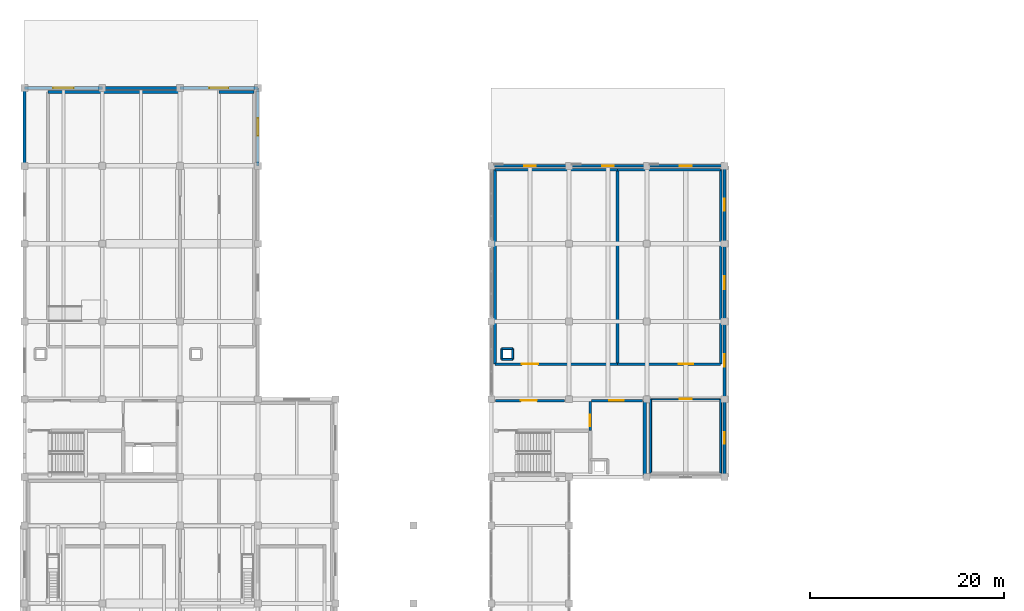
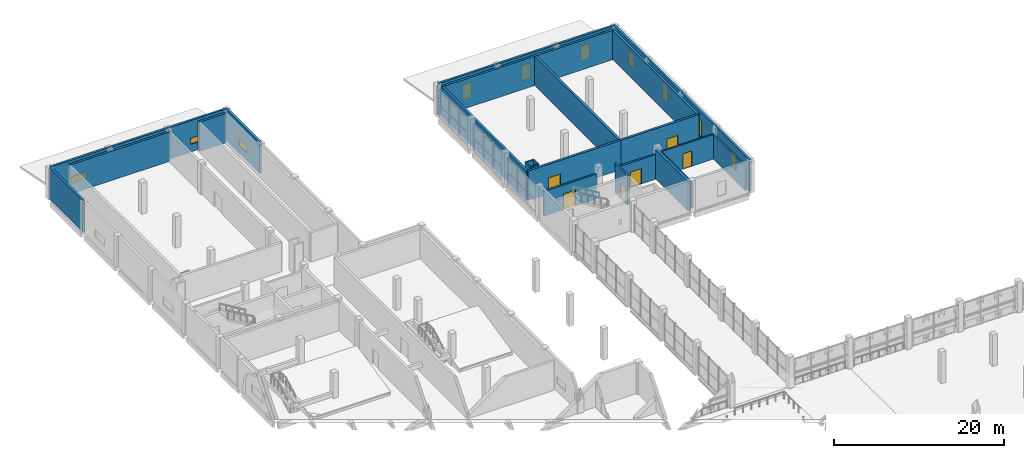
# One storey, part 31 of 45: 32 walls, 10 windows, 6 doors, 16 openings.
"""IFC4 building model written with IfcOpenShell, lengths in metres."""

from ifc_helpers import new_model, si_unit, direction, frame, frame_2d, origin, place, context, subcontext, project, spatial, rectangle, extrude, material, layer, layer_set, type_object, element, fill, save


model = new_model("IFC4")

# Units and contexts
model_context = context("Model", 3, precision=1e-05, world=origin(), true_north=direction((0.0, 1.0)))
body_context = subcontext(model_context, "Body", "Model", "MODEL_VIEW")
ifc_project = project(units=[si_unit("LENGTHUNIT", "METRE"), si_unit("AREAUNIT", "SQUARE_METRE"), si_unit("VOLUMEUNIT", "CUBIC_METRE"), si_unit("PLANEANGLEUNIT", "RADIAN"), si_unit("MASSUNIT", "GRAM", prefix="KILO")], contexts=[model_context])

# Site, building, storey
site_placement = place(None, origin())
site = spatial("IfcSite", under=ifc_project, at=site_placement, CompositionType="ELEMENT")
building_placement = place(site_placement, origin())
building = spatial("IfcBuilding", under=site, at=building_placement, Name="Qorikala Patio Media Centre", CompositionType="ELEMENT")
storey_placement = place(building_placement, frame((0.0, 0.0, 9.89990234375)))
storey = spatial("IfcBuildingStorey", under=building, at=storey_placement, Name="L02", CompositionType="ELEMENT", Elevation=9.89990234375)

# Walls
ifc_material_1 = material(Name="Concrete C35/45", Category="concrete")
ifc_layer_1 = layer(ifc_material_1, 0.300048828125)
ifc_layer_set_1 = layer_set([ifc_layer_1], Name="Concrete C35/45")
wall_type_1 = type_object("IfcWallType", Name="WL-AC-300", PredefinedType="SHEAR", material=ifc_layer_set_1)
wall_1_placement = place(storey_placement, frame((5.39990234375, 103.60009765625, 0.0), z_axis=(0.0, 0.0, 1.0), x_axis=(1.0, 0.0, 0.0)))
element("IfcWall", 1, at=wall_1_placement, inside=storey, type_object=wall_type_1, Name="L02 Interior Wall WINT-L02-BST2-N", PredefinedType="SHEAR", context=body_context, shape_type="SweptSolid", body=[
    extrude(rectangle(XDim=13.60009765625, YDim=0.300048828125, at=frame_2d((6.800048828125, 0.0))), origin(), (0.0, 0.0, 1.0), 4.2001953125),
])
wall_2_placement = place(storey_placement, frame((23.0, 103.60009765625, 0.0), z_axis=(0.0, 0.0, 1.0), x_axis=(1.0, 0.0, 0.0)))
element("IfcWall", 2, at=wall_2_placement, inside=storey, type_object=wall_type_1, Name="L02 Interior Wall WINT-L02-MCR2-N", PredefinedType="SHEAR", context=body_context, shape_type="SweptSolid", body=[
    extrude(rectangle(XDim=3.60009765625, YDim=0.300048828125, at=frame_2d((1.800048828125, 0.0))), origin(), (0.0, 0.0, 1.0), 4.2001953125),
])

# Wall, opening, door
wall_3_placement = place(storey_placement, frame((51.39990234375, 75.60009765625, 0.0), z_axis=(0.0, 0.0, 1.0), x_axis=(1.0, 0.0, 0.0)))
wall_3 = element("IfcWall", 3, at=wall_3_placement, inside=storey, type_object=wall_type_1, Name="L02 Interior Wall WINT-L02-FOL1-S", PredefinedType="SHEAR", context=body_context, shape_type="SweptSolid", body=[
    extrude(rectangle(XDim=12.60009765625, YDim=0.300048828125, at=frame_2d((6.300048828125, 0.0))), origin(), (0.0, 0.0, 1.0), 4.2001953125),
])
opening_1_placement = place(wall_3_placement, frame((2.760986328125, 0.0, 0.0)))
opening_1 = element("IfcOpeningElement", 4, at=opening_1_placement, cuts=wall_3, Name="Opening D281", PredefinedType="OPENING", context=body_context, shape_type="SweptSolid", body=[
    extrude(rectangle(XDim=1.64990234375, YDim=2.25, at=frame_2d((0.824951171875, 1.125))), frame((0.0, 0.159912109375, 0.0), z_axis=(0.0, -1.0, 0.0), x_axis=(1.0, 0.0, 0.0)), (0.0, 0.0, 1.0), 0.320068359375),
])
ifc_material_2 = material(Name="Powder-Coated Acoustic Fire Steel", Category="steel")
door_type_1 = type_object("IfcDoorType", Name="DR-FD60-165X225", OperationType="DOUBLE_DOOR_SINGLE_SWING", PredefinedType="DOOR", material=ifc_material_2)
door_1_placement = place(opening_1_placement, origin())
door_1 = element("IfcDoor", 5, at=door_1_placement, inside=storey, type_object=door_type_1, Name="Foley Stage 1 Door 070", OperationType="DOUBLE_DOOR_SINGLE_SWING", OverallHeight=2.25, OverallWidth=1.64990234375, PredefinedType="DOOR", context=body_context, shape_type="SweptSolid", body=[
    extrude(rectangle(XDim=1.64990234375, YDim=2.25, at=frame_2d((0.824951171875, 1.125))), frame((0.0, 0.02490234375, 0.0), z_axis=(0.0, -1.0, 0.0), x_axis=(1.0, 0.0, 0.0)), (0.0, 0.0, 1.0), 0.050048828125),
])
fill(opening_1, door_1)

# Walls
wall_4_placement = place(storey_placement, frame((64.0, 75.60009765625, 0.0), z_axis=(0.0, 0.0, 1.0), x_axis=(0.0, 1.0, 0.0)))
element("IfcWall", 6, at=wall_4_placement, inside=storey, type_object=wall_type_1, Name="L02 Interior Wall WINT-L02-FOL1-E", PredefinedType="SHEAR", context=body_context, shape_type="SweptSolid", body=[
    extrude(rectangle(XDim=20.0, YDim=0.300048828125, at=frame_2d((10.0, 0.0))), origin(), (0.0, 0.0, 1.0), 4.2001953125),
])
wall_5_placement = place(storey_placement, frame((51.39990234375, 95.60009765625, 0.0), z_axis=(0.0, 0.0, 1.0), x_axis=(1.0, 0.0, 0.0)))
element("IfcWall", 7, at=wall_5_placement, inside=storey, type_object=wall_type_1, Name="L02 Interior Wall WINT-L02-FOL1-N", PredefinedType="SHEAR", context=body_context, shape_type="SweptSolid", body=[
    extrude(rectangle(XDim=12.60009765625, YDim=0.300048828125, at=frame_2d((6.300048828125, 0.0))), origin(), (0.0, 0.0, 1.0), 4.2001953125),
])
wall_6_placement = place(storey_placement, frame((51.39990234375, 75.60009765625, 0.0), z_axis=(0.0, 0.0, 1.0), x_axis=(0.0, 1.0, 0.0)))
element("IfcWall", 8, at=wall_6_placement, inside=storey, type_object=wall_type_1, Name="L02 Interior Wall WINT-L02-FOL1-W", PredefinedType="SHEAR", context=body_context, shape_type="SweptSolid", body=[
    extrude(rectangle(XDim=20.0, YDim=0.300048828125, at=frame_2d((10.0, 0.0))), origin(), (0.0, 0.0, 1.0), 4.2001953125),
])

# Wall, opening, door
wall_7_placement = place(storey_placement, frame((64.0, 75.60009765625, 0.0), z_axis=(0.0, 0.0, 1.0), x_axis=(1.0, 0.0, 0.0)))
wall_7 = element("IfcWall", 9, at=wall_7_placement, inside=storey, type_object=wall_type_1, Name="L02 Interior Wall WINT-L02-MIX1-S", PredefinedType="SHEAR", context=body_context, shape_type="SweptSolid", body=[
    extrude(rectangle(XDim=10.60009765625, YDim=0.300048828125, at=frame_2d((5.300048828125, 0.0))), origin(), (0.0, 0.0, 1.0), 4.2001953125),
])
opening_2_placement = place(wall_7_placement, frame((6.282958984375, 0.0, 0.0)))
opening_2 = element("IfcOpeningElement", 10, at=opening_2_placement, cuts=wall_7, Name="Opening D282", PredefinedType="OPENING", context=body_context, shape_type="SweptSolid", body=[
    extrude(rectangle(XDim=1.5, YDim=2.199951171875, at=frame_2d((0.75, 1.10009765625))), frame((0.0, 0.159912109375, 0.0), z_axis=(0.0, -1.0, 0.0), x_axis=(1.0, 0.0, 0.0)), (0.0, 0.0, 1.0), 0.320068359375),
])
door_type_2 = type_object("IfcDoorType", Name="DR-FD60-150X220", OperationType="DOUBLE_DOOR_SINGLE_SWING", PredefinedType="DOOR", material=ifc_material_2)
door_2_placement = place(opening_2_placement, origin())
door_2 = element("IfcDoor", 11, at=door_2_placement, inside=storey, type_object=door_type_2, Name="Soundtrack Mixing Studio 1 Door 071", OperationType="DOUBLE_DOOR_SINGLE_SWING", OverallHeight=2.199951171875, OverallWidth=1.5, PredefinedType="DOOR", context=body_context, shape_type="SweptSolid", body=[
    extrude(rectangle(XDim=1.5, YDim=2.199951171875, at=frame_2d((0.75, 1.10009765625))), frame((0.0, 0.02490234375, 0.0), z_axis=(0.0, -1.0, 0.0), x_axis=(1.0, 0.0, 0.0)), (0.0, 0.0, 1.0), 0.050048828125),
])
fill(opening_2, door_2)

# Walls
wall_8_placement = place(storey_placement, frame((74.60009765625, 75.60009765625, 0.0), z_axis=(0.0, 0.0, 1.0), x_axis=(0.0, 1.0, 0.0)))
element("IfcWall", 12, at=wall_8_placement, inside=storey, type_object=wall_type_1, Name="L02 Interior Wall WINT-L02-MIX1-E", PredefinedType="SHEAR", context=body_context, shape_type="SweptSolid", body=[
    extrude(rectangle(XDim=20.0, YDim=0.300048828125, at=frame_2d((10.0, 0.0))), origin(), (0.0, 0.0, 1.0), 4.2001953125),
])
wall_9_placement = place(storey_placement, frame((64.0, 95.60009765625, 0.0), z_axis=(0.0, 0.0, 1.0), x_axis=(1.0, 0.0, 0.0)))
element("IfcWall", 13, at=wall_9_placement, inside=storey, type_object=wall_type_1, Name="L02 Interior Wall WINT-L02-MIX1-N", PredefinedType="SHEAR", context=body_context, shape_type="SweptSolid", body=[
    extrude(rectangle(XDim=10.60009765625, YDim=0.300048828125, at=frame_2d((5.300048828125, 0.0))), origin(), (0.0, 0.0, 1.0), 4.2001953125),
])
ifc_layer_2 = layer(ifc_material_1, 0.35009765625)
ifc_layer_set_2 = layer_set([ifc_layer_2], Name="Concrete C35/45")
wall_type_2 = type_object("IfcWallType", Name="WL-CORE-350", PredefinedType="SHEAR", material=ifc_layer_set_2)
wall_10_placement = place(storey_placement, frame((66.77490234375, 64.199951171875, 0.0), z_axis=(0.0, 0.0, 1.0), x_axis=(0.0, 1.0, 0.0)))
element("IfcWall", 14, at=wall_10_placement, inside=storey, type_object=wall_type_2, Name="L02 Interior Wall CW-L02-C6-EE", PredefinedType="SHEAR", context=body_context, shape_type="SweptSolid", body=[
    extrude(rectangle(XDim=7.60009765625, YDim=0.35009765625, at=frame_2d((3.800048828125, 0.0))), origin(), (0.0, 0.0, 1.0), 4.2001953125),
])

# Wall, opening, door
ifc_layer_3 = layer(ifc_material_1, 0.25)
ifc_layer_set_3 = layer_set([ifc_layer_3], Name="Concrete C35/45")
wall_type_3 = type_object("IfcWallType", Name="WL-FFL-250", PredefinedType="PARTITIONING", material=ifc_layer_set_3)
wall_11_placement = place(storey_placement, frame((61.175048828125, 68.77490234375, 0.0), z_axis=(0.0, 0.0, 1.0), x_axis=(0.0, 1.0, 0.0)))
wall_11 = element("IfcWall", 15, at=wall_11_placement, inside=storey, type_object=wall_type_3, Name="L02 Interior Wall CW-L02-C6-LBD", PredefinedType="PARTITIONING", context=body_context, shape_type="SweptSolid", body=[
    extrude(rectangle(XDim=2.97509765625, YDim=0.25, at=frame_2d((1.487548828125, 0.0))), origin(), (0.0, 0.0, 1.0), 4.2001953125),
])
opening_3_placement = place(wall_11_placement, frame((0.449951171875, 0.0, 0.0)))
opening_3 = element("IfcOpeningElement", 16, at=opening_3_placement, cuts=wall_11, Name="Opening D189", PredefinedType="OPENING", context=body_context, shape_type="SweptSolid", body=[
    extrude(rectangle(XDim=1.199951171875, YDim=2.199951171875, at=frame_2d((0.60009765625, 1.10009765625))), frame((0.0, 0.135009765625, 0.0), z_axis=(0.0, -1.0, 0.0), x_axis=(1.0, 0.0, 0.0)), (0.0, 0.0, 1.0), 0.27001953125),
])
ifc_material_3 = material(Name="Acoustic Fire Timber and Steel", Category="steel")
door_type_3 = type_object("IfcDoorType", Name="DR-FD60-120X220", OperationType="NOTDEFINED", PredefinedType="DOOR", material=ifc_material_3)
door_3_placement = place(opening_3_placement, origin())
door_3 = element("IfcDoor", 17, at=door_3_placement, inside=storey, type_object=door_type_3, Name="L02 Core C6 Firefighting Lobby Cross Door", OperationType="SINGLE_SWING_RIGHT", OverallHeight=2.199951171875, OverallWidth=1.199951171875, PredefinedType="DOOR", context=body_context, shape_type="SweptSolid", body=[
    extrude(rectangle(XDim=1.199951171875, YDim=2.199951171875, at=frame_2d((0.60009765625, 1.10009765625))), frame((0.0, 0.02490234375, 0.0), z_axis=(0.0, -1.0, 0.0), x_axis=(1.0, 0.0, 0.0)), (0.0, 0.0, 1.0), 0.050048828125),
])
fill(opening_3, door_3)

wall_12_placement = place(storey_placement, frame((51.449951171875, 71.85009765625, 0.0), z_axis=(0.0, 0.0, 1.0), x_axis=(1.0, 0.0, 0.0)))
wall_12 = element("IfcWall", 18, at=wall_12_placement, inside=storey, type_object=wall_type_3, Name="L02 Interior Wall CW-L02-C6-CN1", PredefinedType="PARTITIONING", context=body_context, shape_type="SweptSolid", body=[
    extrude(rectangle(XDim=7.10009765625, YDim=0.25, at=frame_2d((3.550048828125, 0.0))), origin(), (0.0, 0.0, 1.0), 3.53515625),
])
opening_4_placement = place(wall_12_placement, frame((2.60009765625, 0.0, 0.0)))
opening_4 = element("IfcOpeningElement", 19, at=opening_4_placement, cuts=wall_12, Name="Opening D190", PredefinedType="OPENING", context=body_context, shape_type="SweptSolid", body=[
    extrude(rectangle(XDim=1.64990234375, YDim=2.25, at=frame_2d((0.824951171875, 1.125))), frame((0.0, 0.135009765625, 0.0), z_axis=(0.0, -1.0, 0.0), x_axis=(1.0, 0.0, 0.0)), (0.0, 0.0, 1.0), 0.27001953125),
])
door_4_placement = place(opening_4_placement, frame((1.64990234375, 0.0, 0.0), z_axis=(0.0, 0.0, 1.0), x_axis=(-1.0, 0.0, 0.0)))
door_4 = element("IfcDoor", 20, at=door_4_placement, inside=storey, type_object=door_type_1, Name="L02 Core C6 Vestibule Door", OperationType="DOUBLE_DOOR_SINGLE_SWING", OverallHeight=2.25, OverallWidth=1.64990234375, PredefinedType="DOOR", context=body_context, shape_type="SweptSolid", body=[
    extrude(rectangle(XDim=1.64990234375, YDim=2.25, at=frame_2d((0.824951171875, 1.125))), frame((0.0, 0.02490234375, 0.0), z_axis=(0.0, -1.0, 0.0), x_axis=(1.0, 0.0, 0.0)), (0.0, 0.0, 1.0), 0.050048828125),
])
fill(opening_4, door_4)

wall_13_placement = place(storey_placement, frame((61.300048828125, 71.85009765625, 0.0), z_axis=(0.0, 0.0, 1.0), x_axis=(1.0, 0.0, 0.0)))
wall_13 = element("IfcWall", 21, at=wall_13_placement, inside=storey, type_object=wall_type_3, Name="L02 Interior Wall CW-L02-C6-CN2", PredefinedType="PARTITIONING", context=body_context, shape_type="SweptSolid", body=[
    extrude(rectangle(XDim=5.25, YDim=0.25, at=frame_2d((2.625, 0.0))), origin(), (0.0, 0.0, 1.0), 3.53515625),
])
opening_5_placement = place(wall_13_placement, frame((1.85009765625, 0.0, 0.0)))
opening_5 = element("IfcOpeningElement", 22, at=opening_5_placement, cuts=wall_13, Name="Opening D191", PredefinedType="OPENING", context=body_context, shape_type="SweptSolid", body=[
    extrude(rectangle(XDim=1.5, YDim=2.199951171875, at=frame_2d((0.75, 1.10009765625))), frame((0.0, 0.135009765625, 0.0), z_axis=(0.0, -1.0, 0.0), x_axis=(1.0, 0.0, 0.0)), (0.0, 0.0, 1.0), 0.27001953125),
])
door_5_placement = place(opening_5_placement, origin())
door_5 = element("IfcDoor", 23, at=door_5_placement, inside=storey, type_object=door_type_2, Name="L02 Core C6 Firefighting Lobby Door", OperationType="DOUBLE_DOOR_SINGLE_SWING", OverallHeight=2.199951171875, OverallWidth=1.5, PredefinedType="DOOR", context=body_context, shape_type="SweptSolid", body=[
    extrude(rectangle(XDim=1.5, YDim=2.199951171875, at=frame_2d((0.75, 1.10009765625))), frame((0.0, 0.02490234375, 0.0), z_axis=(0.0, -1.0, 0.0), x_axis=(1.0, 0.0, 0.0)), (0.0, 0.0, 1.0), 0.050048828125),
])
fill(opening_5, door_5)

# Wall
ifc_material_4 = material(Name="Warm Ochre Lime Stucco and Concrete C35/45", Category="concrete")
ifc_layer_4 = layer(ifc_material_4, 0.280029296875)
ifc_layer_set_4 = layer_set([ifc_layer_4], Name="Warm Ochre Lime Stucco and Concrete C35/45")
wall_type_4 = type_object("IfcWallType", Name="WL-OCHRE-280", PredefinedType="SOLIDWALL", material=ifc_layer_set_4)
wall_14_placement = place(storey_placement, frame((3.0, 96.0, 0.0), z_axis=(0.0, 0.0, 1.0), x_axis=(0.0, 1.0, 0.0)))
element("IfcWall", 24, at=wall_14_placement, inside=storey, type_object=wall_type_4, Name="L02 Exterior Wall WL-L02-EXT-0041", PredefinedType="SOLIDWALL", context=body_context, shape_type="SweptSolid", body=[
    extrude(rectangle(XDim=8.0, YDim=0.280029296875, at=frame_2d((4.0, 0.0))), origin(), (0.0, 0.0, 1.0), 4.5),
])

# Wall, opening, window
wall_15_placement = place(storey_placement, frame((3.0, 104.0, 0.0), z_axis=(0.0, 0.0, 1.0), x_axis=(1.0, 0.0, 0.0)))
wall_15 = element("IfcWall", 25, at=wall_15_placement, inside=storey, type_object=wall_type_4, Name="L02 Exterior Wall WL-L02-EXT-0042", PredefinedType="SOLIDWALL", context=body_context, shape_type="SweptSolid", body=[
    extrude(rectangle(XDim=8.0, YDim=0.280029296875, at=frame_2d((4.0, 0.0))), origin(), (0.0, 0.0, 1.0), 4.5),
])
opening_6_placement = place(wall_15_placement, frame((2.949951171875, 0.0, 1.10009765625)))
opening_6 = element("IfcOpeningElement", 26, at=opening_6_placement, cuts=wall_15, Name="Opening WL-210", PredefinedType="OPENING", context=body_context, shape_type="SweptSolid", body=[
    extrude(rectangle(XDim=2.10009765625, YDim=0.949951171875, at=frame_2d((1.050048828125, 0.47509765625))), frame((0.0, 0.14990234375, 0.0), z_axis=(0.0, -1.0, 0.0), x_axis=(1.0, 0.0, 0.0)), (0.0, 0.0, 1.0), 0.300048828125),
])
ifc_material_5 = material(Name="Acoustic Laminated Low-E Glass", Category="glass")
window_type_1 = type_object("IfcWindowType", Name="WN-CL-210X095", PartitioningType="SINGLE_PANEL", PredefinedType="WINDOW", material=ifc_material_5)
window_1_placement = place(opening_6_placement, origin())
window_1 = element("IfcWindow", 27, at=window_1_placement, inside=storey, type_object=window_type_1, Name="L02 High Acoustic Clerestory Window 0165", OverallHeight=0.949951171875, OverallWidth=2.10009765625, PartitioningType="SINGLE_PANEL", PredefinedType="WINDOW", context=body_context, shape_type="SweptSolid", body=[
    extrude(rectangle(XDim=2.10009765625, YDim=0.949951171875, at=frame_2d((1.050048828125, 0.47509765625))), frame((0.0, 0.030029296875, 0.0), z_axis=(0.0, -1.0, 0.0), x_axis=(1.0, 0.0, 0.0)), (0.0, 0.0, 1.0), 0.06005859375),
])
fill(opening_6, window_1)

# Wall
wall_16_placement = place(storey_placement, frame((11.0, 104.0, 0.0), z_axis=(0.0, 0.0, 1.0), x_axis=(1.0, 0.0, 0.0)))
element("IfcWall", 28, at=wall_16_placement, inside=storey, type_object=wall_type_4, Name="L02 Exterior Wall WL-L02-EXT-0043", PredefinedType="SOLIDWALL", context=body_context, shape_type="SweptSolid", body=[
    extrude(rectangle(XDim=8.0, YDim=0.280029296875, at=frame_2d((4.0, 0.0))), origin(), (0.0, 0.0, 1.0), 4.5),
])

# Wall, opening, window
wall_17_placement = place(storey_placement, frame((19.0, 104.0, 0.0), z_axis=(0.0, 0.0, 1.0), x_axis=(1.0, 0.0, 0.0)))
wall_17 = element("IfcWall", 29, at=wall_17_placement, inside=storey, type_object=wall_type_4, Name="L02 Exterior Wall WL-L02-EXT-0044", PredefinedType="SOLIDWALL", context=body_context, shape_type="SweptSolid", body=[
    extrude(rectangle(XDim=8.0, YDim=0.280029296875, at=frame_2d((4.0, 0.0))), origin(), (0.0, 0.0, 1.0), 4.5),
])
opening_7_placement = place(wall_17_placement, frame((3.02490234375, 0.0, 1.10009765625)))
opening_7 = element("IfcOpeningElement", 30, at=opening_7_placement, cuts=wall_17, Name="Opening WL-195", PredefinedType="OPENING", context=body_context, shape_type="SweptSolid", body=[
    extrude(rectangle(XDim=1.949951171875, YDim=0.89990234375, at=frame_2d((0.97509765625, 0.449951171875))), frame((0.0, 0.14990234375, 0.0), z_axis=(0.0, -1.0, 0.0), x_axis=(1.0, 0.0, 0.0)), (0.0, 0.0, 1.0), 0.300048828125),
])
window_type_2 = type_object("IfcWindowType", Name="WN-CL-195X090", PartitioningType="SINGLE_PANEL", PredefinedType="WINDOW", material=ifc_material_5)
window_2_placement = place(opening_7_placement, origin())
window_2 = element("IfcWindow", 31, at=window_2_placement, inside=storey, type_object=window_type_2, Name="L02 High Acoustic Clerestory Window 0166", OverallHeight=0.89990234375, OverallWidth=1.949951171875, PartitioningType="SINGLE_PANEL", PredefinedType="WINDOW", context=body_context, shape_type="SweptSolid", body=[
    extrude(rectangle(XDim=1.949951171875, YDim=0.89990234375, at=frame_2d((0.97509765625, 0.449951171875))), frame((0.0, 0.030029296875, 0.0), z_axis=(0.0, -1.0, 0.0), x_axis=(1.0, 0.0, 0.0)), (0.0, 0.0, 1.0), 0.06005859375),
])
fill(opening_7, window_2)

wall_18_placement = place(storey_placement, frame((27.0, 104.0, 0.0), z_axis=(0.0, 0.0, 1.0), x_axis=(0.0, -1.0, 0.0)))
wall_18 = element("IfcWall", 32, at=wall_18_placement, inside=storey, type_object=wall_type_4, Name="L02 Exterior Wall WL-L02-EXT-0045", PredefinedType="SOLIDWALL", context=body_context, shape_type="SweptSolid", body=[
    extrude(rectangle(XDim=8.0, YDim=0.280029296875, at=frame_2d((4.0, 0.0))), origin(), (0.0, 0.0, 1.0), 4.5),
])
opening_8_placement = place(wall_18_placement, frame((3.10009765625, 0.0, 1.10009765625)))
opening_8 = element("IfcOpeningElement", 33, at=opening_8_placement, cuts=wall_18, Name="Opening WL-180", PredefinedType="OPENING", context=body_context, shape_type="SweptSolid", body=[
    extrude(rectangle(XDim=1.800048828125, YDim=0.85009765625, at=frame_2d((0.89990234375, 0.425048828125))), frame((0.0, 0.14990234375, 0.0), z_axis=(0.0, -1.0, 0.0), x_axis=(1.0, 0.0, 0.0)), (0.0, 0.0, 1.0), 0.300048828125),
])
window_type_3 = type_object("IfcWindowType", Name="WN-CL-180X085", PartitioningType="SINGLE_PANEL", PredefinedType="WINDOW", material=ifc_material_5)
window_3_placement = place(opening_8_placement, origin())
window_3 = element("IfcWindow", 34, at=window_3_placement, inside=storey, type_object=window_type_3, Name="L02 High Acoustic Clerestory Window 0167", OverallHeight=0.85009765625, OverallWidth=1.800048828125, PartitioningType="SINGLE_PANEL", PredefinedType="WINDOW", context=body_context, shape_type="SweptSolid", body=[
    extrude(rectangle(XDim=1.800048828125, YDim=0.85009765625, at=frame_2d((0.89990234375, 0.425048828125))), frame((0.0, 0.030029296875, 0.0), z_axis=(0.0, -1.0, 0.0), x_axis=(1.0, 0.0, 0.0)), (0.0, 0.0, 1.0), 0.06005859375),
])
fill(opening_8, window_3)

wall_19_placement = place(storey_placement, frame((51.0, 96.0, 0.0), z_axis=(0.0, 0.0, 1.0), x_axis=(1.0, 0.0, 0.0)))
wall_19 = element("IfcWall", 35, at=wall_19_placement, inside=storey, type_object=wall_type_4, Name="L02 Exterior Wall WL-L02-EXT-0058", PredefinedType="SOLIDWALL", context=body_context, shape_type="SweptSolid", body=[
    extrude(rectangle(XDim=8.0, YDim=0.280029296875, at=frame_2d((4.0, 0.0))), origin(), (0.0, 0.0, 1.0), 4.5),
])
opening_9_placement = place(wall_19_placement, frame((3.39990234375, 0.0, 0.85009765625)))
opening_9 = element("IfcOpeningElement", 36, at=opening_9_placement, cuts=wall_19, Name="Opening WC-120", PredefinedType="OPENING", context=body_context, shape_type="SweptSolid", body=[
    extrude(rectangle(XDim=1.199951171875, YDim=2.199951171875, at=frame_2d((0.60009765625, 1.10009765625))), frame((0.0, 0.14990234375, 0.0), z_axis=(0.0, -1.0, 0.0), x_axis=(1.0, 0.0, 0.0)), (0.0, 0.0, 1.0), 0.300048828125),
])
ifc_material_6 = material(Name="Bronze Anodised Aluminium and Low-E Glass", Category="aluminium")
window_type_4 = type_object("IfcWindowType", Name="WN-COL-120X220", PartitioningType="SINGLE_PANEL", PredefinedType="WINDOW", material=ifc_material_6)
window_4_placement = place(opening_9_placement, origin())
window_4 = element("IfcWindow", 37, at=window_4_placement, inside=storey, type_object=window_type_4, Name="L02 Colonial Tall Window 0173", OverallHeight=2.199951171875, OverallWidth=1.199951171875, PartitioningType="SINGLE_PANEL", PredefinedType="WINDOW", context=body_context, shape_type="SweptSolid", body=[
    extrude(rectangle(XDim=1.199951171875, YDim=2.199951171875, at=frame_2d((0.60009765625, 1.10009765625))), frame((0.0, 0.030029296875, 0.0), z_axis=(0.0, -1.0, 0.0), x_axis=(1.0, 0.0, 0.0)), (0.0, 0.0, 1.0), 0.06005859375),
])
fill(opening_9, window_4)

wall_20_placement = place(storey_placement, frame((59.0, 96.0, 0.0), z_axis=(0.0, 0.0, 1.0), x_axis=(1.0, 0.0, 0.0)))
wall_20 = element("IfcWall", 38, at=wall_20_placement, inside=storey, type_object=wall_type_4, Name="L02 Exterior Wall WL-L02-EXT-0059", PredefinedType="SOLIDWALL", context=body_context, shape_type="SweptSolid", body=[
    extrude(rectangle(XDim=8.0, YDim=0.280029296875, at=frame_2d((4.0, 0.0))), origin(), (0.0, 0.0, 1.0), 4.5),
])
opening_10_placement = place(wall_20_placement, frame((3.39990234375, 0.0, 0.85009765625)))
opening_10 = element("IfcOpeningElement", 39, at=opening_10_placement, cuts=wall_20, Name="Opening WC-120", PredefinedType="OPENING", context=body_context, shape_type="SweptSolid", body=[
    extrude(rectangle(XDim=1.199951171875, YDim=2.199951171875, at=frame_2d((0.60009765625, 1.10009765625))), frame((0.0, 0.14990234375, 0.0), z_axis=(0.0, -1.0, 0.0), x_axis=(1.0, 0.0, 0.0)), (0.0, 0.0, 1.0), 0.300048828125),
])
window_5_placement = place(opening_10_placement, origin())
window_5 = element("IfcWindow", 40, at=window_5_placement, inside=storey, type_object=window_type_4, Name="L02 Colonial Tall Window 0174", OverallHeight=2.199951171875, OverallWidth=1.199951171875, PartitioningType="SINGLE_PANEL", PredefinedType="WINDOW", context=body_context, shape_type="SweptSolid", body=[
    extrude(rectangle(XDim=1.199951171875, YDim=2.199951171875, at=frame_2d((0.60009765625, 1.10009765625))), frame((0.0, 0.030029296875, 0.0), z_axis=(0.0, -1.0, 0.0), x_axis=(1.0, 0.0, 0.0)), (0.0, 0.0, 1.0), 0.06005859375),
])
fill(opening_10, window_5)

wall_21_placement = place(storey_placement, frame((67.0, 96.0, 0.0), z_axis=(0.0, 0.0, 1.0), x_axis=(1.0, 0.0, 0.0)))
wall_21 = element("IfcWall", 41, at=wall_21_placement, inside=storey, type_object=wall_type_4, Name="L02 Exterior Wall WL-L02-EXT-0060", PredefinedType="SOLIDWALL", context=body_context, shape_type="SweptSolid", body=[
    extrude(rectangle(XDim=8.0, YDim=0.280029296875, at=frame_2d((4.0, 0.0))), origin(), (0.0, 0.0, 1.0), 4.5),
])
opening_11_placement = place(wall_21_placement, frame((3.39990234375, 0.0, 0.85009765625)))
opening_11 = element("IfcOpeningElement", 42, at=opening_11_placement, cuts=wall_21, Name="Opening WC-120", PredefinedType="OPENING", context=body_context, shape_type="SweptSolid", body=[
    extrude(rectangle(XDim=1.199951171875, YDim=2.199951171875, at=frame_2d((0.60009765625, 1.10009765625))), frame((0.0, 0.14990234375, 0.0), z_axis=(0.0, -1.0, 0.0), x_axis=(1.0, 0.0, 0.0)), (0.0, 0.0, 1.0), 0.300048828125),
])
window_6_placement = place(opening_11_placement, origin())
window_6 = element("IfcWindow", 43, at=window_6_placement, inside=storey, type_object=window_type_4, Name="L02 Colonial Tall Window 0175", OverallHeight=2.199951171875, OverallWidth=1.199951171875, PartitioningType="SINGLE_PANEL", PredefinedType="WINDOW", context=body_context, shape_type="SweptSolid", body=[
    extrude(rectangle(XDim=1.199951171875, YDim=2.199951171875, at=frame_2d((0.60009765625, 1.10009765625))), frame((0.0, 0.030029296875, 0.0), z_axis=(0.0, -1.0, 0.0), x_axis=(1.0, 0.0, 0.0)), (0.0, 0.0, 1.0), 0.06005859375),
])
fill(opening_11, window_6)

wall_22_placement = place(storey_placement, frame((75.0, 96.0, 0.0), z_axis=(0.0, 0.0, 1.0), x_axis=(0.0, -1.0, 0.0)))
wall_22 = element("IfcWall", 44, at=wall_22_placement, inside=storey, type_object=wall_type_4, Name="L02 Exterior Wall WL-L02-EXT-0061", PredefinedType="SOLIDWALL", context=body_context, shape_type="SweptSolid", body=[
    extrude(rectangle(XDim=8.0, YDim=0.280029296875, at=frame_2d((4.0, 0.0))), origin(), (0.0, 0.0, 1.0), 4.5),
])
opening_12_placement = place(wall_22_placement, frame((3.39990234375, 0.0, 0.85009765625)))
opening_12 = element("IfcOpeningElement", 45, at=opening_12_placement, cuts=wall_22, Name="Opening WC-120", PredefinedType="OPENING", context=body_context, shape_type="SweptSolid", body=[
    extrude(rectangle(XDim=1.199951171875, YDim=2.199951171875, at=frame_2d((0.60009765625, 1.10009765625))), frame((0.0, 0.14990234375, 0.0), z_axis=(0.0, -1.0, 0.0), x_axis=(1.0, 0.0, 0.0)), (0.0, 0.0, 1.0), 0.300048828125),
])
window_7_placement = place(opening_12_placement, origin())
window_7 = element("IfcWindow", 46, at=window_7_placement, inside=storey, type_object=window_type_4, Name="L02 Colonial Tall Window 0176", OverallHeight=2.199951171875, OverallWidth=1.199951171875, PartitioningType="SINGLE_PANEL", PredefinedType="WINDOW", context=body_context, shape_type="SweptSolid", body=[
    extrude(rectangle(XDim=1.199951171875, YDim=2.199951171875, at=frame_2d((0.60009765625, 1.10009765625))), frame((0.0, 0.030029296875, 0.0), z_axis=(0.0, -1.0, 0.0), x_axis=(1.0, 0.0, 0.0)), (0.0, 0.0, 1.0), 0.06005859375),
])
fill(opening_12, window_7)

wall_23_placement = place(storey_placement, frame((75.0, 88.0, 0.0), z_axis=(0.0, 0.0, 1.0), x_axis=(0.0, -1.0, 0.0)))
wall_23 = element("IfcWall", 47, at=wall_23_placement, inside=storey, type_object=wall_type_4, Name="L02 Exterior Wall WL-L02-EXT-0062", PredefinedType="SOLIDWALL", context=body_context, shape_type="SweptSolid", body=[
    extrude(rectangle(XDim=8.0, YDim=0.280029296875, at=frame_2d((4.0, 0.0))), origin(), (0.0, 0.0, 1.0), 4.5),
])
opening_13_placement = place(wall_23_placement, frame((3.330078125, 0.0, 0.85009765625)))
opening_13 = element("IfcOpeningElement", 48, at=opening_13_placement, cuts=wall_23, Name="Opening WC-134", PredefinedType="OPENING", context=body_context, shape_type="SweptSolid", body=[
    extrude(rectangle(XDim=1.340087890625, YDim=2.5, at=frame_2d((0.669921875, 1.25))), frame((0.0, 0.14990234375, 0.0), z_axis=(0.0, -1.0, 0.0), x_axis=(1.0, 0.0, 0.0)), (0.0, 0.0, 1.0), 0.300048828125),
])
window_type_5 = type_object("IfcWindowType", Name="WN-COL-134X250", PartitioningType="SINGLE_PANEL", PredefinedType="WINDOW", material=ifc_material_6)
window_8_placement = place(opening_13_placement, origin())
window_8 = element("IfcWindow", 49, at=window_8_placement, inside=storey, type_object=window_type_5, Name="L02 Colonial Tall Window 0177", OverallHeight=2.5, OverallWidth=1.340087890625, PartitioningType="SINGLE_PANEL", PredefinedType="WINDOW", context=body_context, shape_type="SweptSolid", body=[
    extrude(rectangle(XDim=1.340087890625, YDim=2.5, at=frame_2d((0.669921875, 1.25))), frame((0.0, 0.030029296875, 0.0), z_axis=(0.0, -1.0, 0.0), x_axis=(1.0, 0.0, 0.0)), (0.0, 0.0, 1.0), 0.06005859375),
])
fill(opening_13, window_8)

wall_24_placement = place(storey_placement, frame((75.0, 80.0, 0.0), z_axis=(0.0, 0.0, 1.0), x_axis=(0.0, -1.0, 0.0)))
wall_24 = element("IfcWall", 50, at=wall_24_placement, inside=storey, type_object=wall_type_4, Name="L02 Exterior Wall WL-L02-EXT-0063", PredefinedType="SOLIDWALL", context=body_context, shape_type="SweptSolid", body=[
    extrude(rectangle(XDim=8.0, YDim=0.280029296875, at=frame_2d((4.0, 0.0))), origin(), (0.0, 0.0, 1.0), 4.5),
])
opening_14_placement = place(wall_24_placement, frame((3.35009765625, 0.0, 0.85009765625)))
opening_14 = element("IfcOpeningElement", 51, at=opening_14_placement, cuts=wall_24, Name="Opening WC-130", PredefinedType="OPENING", context=body_context, shape_type="SweptSolid", body=[
    extrude(rectangle(XDim=1.300048828125, YDim=2.39990234375, at=frame_2d((0.64990234375, 1.199951171875))), frame((0.0, 0.14990234375, 0.0), z_axis=(0.0, -1.0, 0.0), x_axis=(1.0, 0.0, 0.0)), (0.0, 0.0, 1.0), 0.300048828125),
])
window_type_6 = type_object("IfcWindowType", Name="WN-COL-130X240", PartitioningType="SINGLE_PANEL", PredefinedType="WINDOW", material=ifc_material_6)
window_9_placement = place(opening_14_placement, origin())
window_9 = element("IfcWindow", 52, at=window_9_placement, inside=storey, type_object=window_type_6, Name="L02 Colonial Tall Window 0178", OverallHeight=2.39990234375, OverallWidth=1.300048828125, PartitioningType="SINGLE_PANEL", PredefinedType="WINDOW", context=body_context, shape_type="SweptSolid", body=[
    extrude(rectangle(XDim=1.300048828125, YDim=2.39990234375, at=frame_2d((0.64990234375, 1.199951171875))), frame((0.0, 0.030029296875, 0.0), z_axis=(0.0, -1.0, 0.0), x_axis=(1.0, 0.0, 0.0)), (0.0, 0.0, 1.0), 0.06005859375),
])
fill(opening_14, window_9)

wall_25_placement = place(storey_placement, frame((75.0, 72.0, 0.0), z_axis=(0.0, 0.0, 1.0), x_axis=(0.0, -1.0, 0.0)))
wall_25 = element("IfcWall", 53, at=wall_25_placement, inside=storey, type_object=wall_type_4, Name="L02 Exterior Wall WL-L02-EXT-0064", PredefinedType="SOLIDWALL", context=body_context, shape_type="SweptSolid", body=[
    extrude(rectangle(XDim=8.0, YDim=0.280029296875, at=frame_2d((4.0, 0.0))), origin(), (0.0, 0.0, 1.0), 4.5),
])
opening_15_placement = place(wall_25_placement, frame((3.39990234375, 0.0, 0.85009765625)))
opening_15 = element("IfcOpeningElement", 54, at=opening_15_placement, cuts=wall_25, Name="Opening WC-120", PredefinedType="OPENING", context=body_context, shape_type="SweptSolid", body=[
    extrude(rectangle(XDim=1.199951171875, YDim=2.199951171875, at=frame_2d((0.60009765625, 1.10009765625))), frame((0.0, 0.14990234375, 0.0), z_axis=(0.0, -1.0, 0.0), x_axis=(1.0, 0.0, 0.0)), (0.0, 0.0, 1.0), 0.300048828125),
])
window_10_placement = place(opening_15_placement, origin())
window_10 = element("IfcWindow", 55, at=window_10_placement, inside=storey, type_object=window_type_4, Name="L02 Colonial Tall Window 0179", OverallHeight=2.199951171875, OverallWidth=1.199951171875, PartitioningType="SINGLE_PANEL", PredefinedType="WINDOW", context=body_context, shape_type="SweptSolid", body=[
    extrude(rectangle(XDim=1.199951171875, YDim=2.199951171875, at=frame_2d((0.60009765625, 1.10009765625))), frame((0.0, 0.030029296875, 0.0), z_axis=(0.0, -1.0, 0.0), x_axis=(1.0, 0.0, 0.0)), (0.0, 0.0, 1.0), 0.06005859375),
])
fill(opening_15, window_10)

# Wall
ifc_material_7 = material(Name="Acoustic Masonry and Plaster Concrete C30/37", Category="masonry")
ifc_layer_5 = layer(ifc_material_7, 0.199951171875)
ifc_layer_set_5 = layer_set([ifc_layer_5], Name="Acoustic Masonry and Plaster Concrete C30/37")
wall_type_5 = type_object("IfcWallType", Name="WL-ST-200", PredefinedType="PARTITIONING", material=ifc_layer_set_5)
wall_26_placement = place(storey_placement, frame((74.60009765625, 64.39990234375, 0.0), z_axis=(0.0, 0.0, 1.0), x_axis=(0.0, 1.0, 0.0)))
element("IfcWall", 56, at=wall_26_placement, inside=storey, type_object=wall_type_5, Name="L02 Interior Wall WINT-L02-MIX2-E", PredefinedType="PARTITIONING", context=body_context, shape_type="SweptSolid", body=[
    extrude(rectangle(XDim=7.60009765625, YDim=0.199951171875, at=frame_2d((3.800048828125, 0.0))), origin(), (0.0, 0.0, 1.0), 3.505126953125),
])

# Wall, opening, door
wall_27_placement = place(storey_placement, frame((67.39990234375, 72.0, 0.0), z_axis=(0.0, 0.0, 1.0), x_axis=(1.0, 0.0, 0.0)))
wall_27 = element("IfcWall", 57, at=wall_27_placement, inside=storey, type_object=wall_type_5, Name="L02 Interior Wall WINT-L02-MIX2-N", PredefinedType="PARTITIONING", context=body_context, shape_type="SweptSolid", body=[
    extrude(rectangle(XDim=7.2001953125, YDim=0.199951171875, at=frame_2d((3.60009765625, 0.0))), origin(), (0.0, 0.0, 1.0), 3.53515625),
])
opening_16_placement = place(wall_27_placement, frame((3.0, 0.0, 0.0)))
opening_16 = element("IfcOpeningElement", 58, at=opening_16_placement, cuts=wall_27, Name="Opening D283", PredefinedType="OPENING", context=body_context, shape_type="SweptSolid", body=[
    extrude(rectangle(XDim=1.199951171875, YDim=2.199951171875, at=frame_2d((0.60009765625, 1.10009765625))), frame((0.0, 0.10986328125, 0.0), z_axis=(0.0, -1.0, 0.0), x_axis=(1.0, 0.0, 0.0)), (0.0, 0.0, 1.0), 0.219970703125),
])
door_6_placement = place(opening_16_placement, origin())
door_6 = element("IfcDoor", 59, at=door_6_placement, inside=storey, type_object=door_type_3, Name="Near-Field Mixing Suite 2 Door 072", OperationType="SINGLE_SWING_RIGHT", OverallHeight=2.199951171875, OverallWidth=1.199951171875, PredefinedType="DOOR", context=body_context, shape_type="SweptSolid", body=[
    extrude(rectangle(XDim=1.199951171875, YDim=2.199951171875, at=frame_2d((0.60009765625, 1.10009765625))), frame((0.0, 0.02490234375, 0.0), z_axis=(0.0, -1.0, 0.0), x_axis=(1.0, 0.0, 0.0)), (0.0, 0.0, 1.0), 0.050048828125),
])
fill(opening_16, door_6)

# Walls
wall_28_placement = place(storey_placement, frame((67.39990234375, 64.39990234375, 0.0), z_axis=(0.0, 0.0, 1.0), x_axis=(0.0, 1.0, 0.0)))
element("IfcWall", 60, at=wall_28_placement, inside=storey, type_object=wall_type_5, Name="L02 Interior Wall WINT-L02-MIX2-W", PredefinedType="PARTITIONING", context=body_context, shape_type="SweptSolid", body=[
    extrude(rectangle(XDim=7.60009765625, YDim=0.199951171875, at=frame_2d((3.800048828125, 0.0))), origin(), (0.0, 0.0, 1.0), 3.585205078125),
])
for number, where, z_axis, x_axis, name in (
    (61, (52.10009765625, 76.10009765625, 0.0), (0.0, 0.0, 1.0), (1.0, 0.0, 0.0), "L02 Interior Wall RSW-7-L02-S"),
    (62, (52.10009765625, 77.199951171875, 0.0), (0.0, 0.0, 1.0), (1.0, 0.0, 0.0), "L02 Interior Wall RSW-7-L02-N"),
    (63, (52.10009765625, 76.10009765625, 0.0), (0.0, 0.0, 1.0), (0.0, 1.0, 0.0), "L02 Interior Wall RSW-7-L02-W"),
    (64, (53.199951171875, 76.10009765625, 0.0), (0.0, 0.0, 1.0), (0.0, 1.0, 0.0), "L02 Interior Wall RSW-7-L02-E"),
):
    element("IfcWall", number, at=place(storey_placement, frame(where, z_axis=z_axis, x_axis=x_axis)), inside=storey, type_object=wall_type_5, Name=name, PredefinedType="PARTITIONING", context=body_context, shape_type="SweptSolid", body=[
        extrude(rectangle(XDim=1.099853515625, YDim=0.199951171875, at=frame_2d((0.5498046875, 0.0))), origin(), (0.0, 0.0, 1.0), 4.2001953125),
    ])

save(model, "model.ifc")
